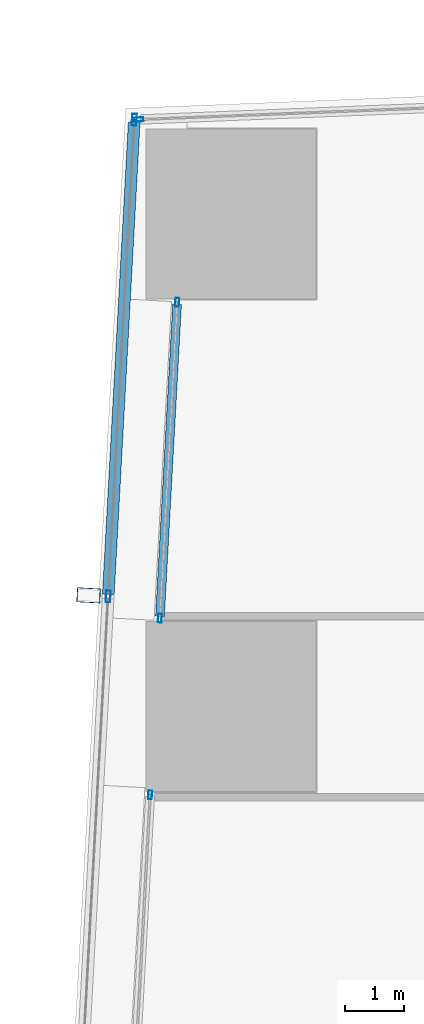
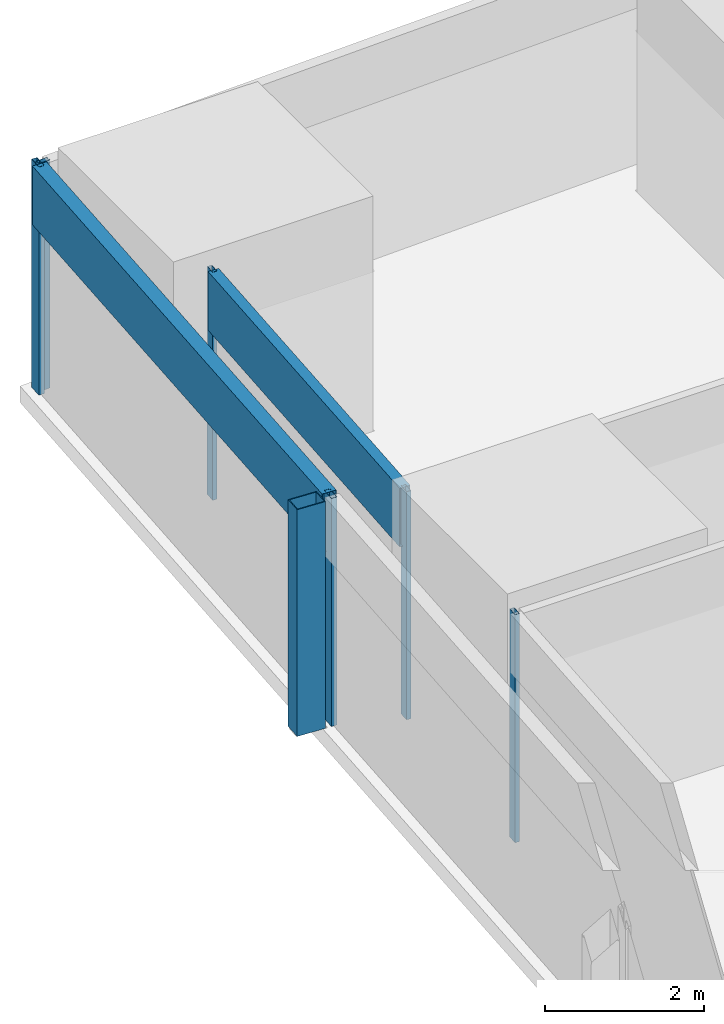
# One storey, part 14 of 40: 9 members, 4 elements without a shape of their own.
"""IFC4 building model written with IfcOpenShell, lengths in metres."""

from ifc_helpers import new_model, si_unit, direction, frame, origin, origin_2d, place, context, subcontext, project, spatial, hollow_rectangle, extrude, material, material_profile, profile_set, type_object, element, aggregate, save


model = new_model("IFC4")

# Units and contexts
model_context = context("Model", 3, precision=1e-05, world=origin(), true_north=direction((0.0, 1.0)))
body_context = subcontext(model_context, "Body", "Model", "MODEL_VIEW")
ifc_project = project(units=[si_unit("LENGTHUNIT", "METRE"), si_unit("AREAUNIT", "SQUARE_METRE"), si_unit("VOLUMEUNIT", "CUBIC_METRE"), si_unit("PLANEANGLEUNIT", "RADIAN"), si_unit("MASSUNIT", "GRAM", prefix="KILO")], contexts=[model_context])

# Site, building, storey
site_placement = place(None, origin())
site = spatial("IfcSite", under=ifc_project, at=site_placement, CompositionType="ELEMENT")
building_placement = place(site_placement, origin())
building = spatial("IfcBuilding", under=site, at=building_placement, Name="Rekha Terrace Tower", CompositionType="ELEMENT")
storey_placement = place(building_placement, frame((0.0, 0.0, 95.300048828125)))
storey = spatial("IfcBuildingStorey", under=building, at=storey_placement, Name="L23", CompositionType="ELEMENT", Elevation=95.300048828125)

# Curtain wall, member
ifc_material_1 = material(Name="Aluminium framing", Category="aluminium")
curtain_wall_type_1 = type_object("IfcCurtainWallType", Name="CW2 double skin outer glazing", PredefinedType="USERDEFINED", material=ifc_material_1)
curtain_wall_1_placement = place(storey_placement, origin())
curtain_wall_1 = element("IfcCurtainWall", 1, at=curtain_wall_1_placement, inside=storey, type_object=curtain_wall_type_1, Name="CW2 double skin outer glazing", ObjectType="DOUBLE SKIN OUTER GLAZING", PredefinedType="USERDEFINED")
ifc_material_2 = material(Name="Steel S355 with fluorocarbon finish", Category="steel")
ifc_material_profile_1 = material_profile(ifc_material_2, hollow_rectangle(XDim=0.25, YDim=0.39990234375, WallThickness=0.012451171875, at=origin_2d()), Name="RHS400x250x12.5")
ifc_profile_set_1 = profile_set([ifc_material_profile_1], Name="Steel S355 with fluorocarbon finish")
member_type_1 = type_object("IfcMemberType", Name="BL1 facade blade RHS 400 x 250", PredefinedType="USERDEFINED", material=ifc_profile_set_1)
member_1_placement = place(storey_placement, frame((5.969482421875, 52.29638671875, 0.02001953125), z_axis=(0.0, 0.0, 1.0), x_axis=(-0.054742798353, -0.998500488747, 0.0)))
member_1 = element("IfcMember", 2, at=member_1_placement, type_object=member_type_1, Name="Facade blade", ObjectType="FACADE BLADE", PredefinedType="USERDEFINED", context=body_context, shape_type="SweptSolid", body=[
    extrude(hollow_rectangle(XDim=0.25, YDim=0.39990234375, WallThickness=0.012451171875, at=origin_2d()), origin(), (0.0, 0.0, 1.0), 3.47998046875),
])

# Curtain wall, members
curtain_wall_type_2 = type_object("IfcCurtainWallType", Name="CW1 double skin inner glazing", PredefinedType="USERDEFINED", material=ifc_material_1)
curtain_wall_2_placement = place(storey_placement, origin())
curtain_wall_2 = element("IfcCurtainWall", 3, at=curtain_wall_2_placement, inside=storey, type_object=curtain_wall_type_2, Name="CW1 double skin inner glazing", ObjectType="DOUBLE SKIN INNER GLAZING", PredefinedType="USERDEFINED")
ifc_material_3 = material(Name="Aluminium mullion section", Category="aluminium")
ifc_material_profile_2 = material_profile(ifc_material_3, hollow_rectangle(XDim=0.06494140625, YDim=0.14990234375, WallThickness=0.00390625, at=origin_2d()), Name="AL RHS 65x150")
ifc_profile_set_2 = profile_set([ifc_material_profile_2], Name="Aluminium mullion section")
member_type_2 = type_object("IfcMemberType", Name="CW1 mullion RHS 65 x 150", PredefinedType="MULLION", material=ifc_profile_set_2)
member_2_placement = place(storey_placement, frame((7.480224609375, 57.29248046875, 0.0), z_axis=(0.0, 0.0, 1.0), x_axis=(0.998500513178, -0.054742352742, 0.0)))
member_2 = element("IfcMember", 4, at=member_2_placement, type_object=member_type_2, Name="CW1 mullion 1", PredefinedType="MULLION", context=body_context, shape_type="SweptSolid", body=[
    extrude(hollow_rectangle(XDim=0.06494140625, YDim=0.14990234375, WallThickness=0.00390625, at=origin_2d()), origin(), (0.0, 0.0, 1.0), 3.5),
])
member_3_placement = place(storey_placement, frame((7.18505859375, 51.90771484375, 0.0), z_axis=(0.0, 0.0, 1.0), x_axis=(0.998500513178, -0.054742352742, 0.0)))
member_3 = element("IfcMember", 5, at=member_3_placement, type_object=member_type_2, Name="CW1 mullion 2", PredefinedType="MULLION", context=body_context, shape_type="SweptSolid", body=[
    extrude(hollow_rectangle(XDim=0.06494140625, YDim=0.14990234375, WallThickness=0.00390625, at=origin_2d()), origin(), (0.0, 0.0, 1.0), 3.5),
])

# Curtain wall, member
curtain_wall_3_placement = place(storey_placement, origin())
curtain_wall_3 = element("IfcCurtainWall", 6, at=curtain_wall_3_placement, inside=storey, type_object=curtain_wall_type_2, Name="CW1 double skin inner glazing", ObjectType="DOUBLE SKIN INNER GLAZING", PredefinedType="USERDEFINED")
member_4_placement = place(storey_placement, frame((7.019775390625, 48.8935546875, 0.0), z_axis=(0.0, 0.0, 1.0), x_axis=(0.998500513182, -0.054742352672, 0.0)))
member_4 = element("IfcMember", 7, at=member_4_placement, type_object=member_type_2, Name="CW1 mullion 1", PredefinedType="MULLION", context=body_context, shape_type="SweptSolid", body=[
    extrude(hollow_rectangle(XDim=0.06494140625, YDim=0.14990234375, WallThickness=0.00390625, at=origin_2d()), origin(), (0.0, 0.0, 1.0), 3.5),
])
aggregate(curtain_wall_3, [member_4])

# Member
ifc_material_4 = material(Name="Insulated aluminium spandrel box", Category="aluminium")
ifc_material_profile_3 = material_profile(ifc_material_4, hollow_rectangle(XDim=0.14990234375, YDim=0.89990234375, WallThickness=0.0029296875, at=origin_2d()), Name="AL SPANDREL BOX 150x900")
ifc_profile_set_3 = profile_set([ifc_material_profile_3], Name="Insulated aluminium spandrel box")
member_type_3 = type_object("IfcMemberType", Name="CW1 spandrel transom 150 x 900", PredefinedType="USERDEFINED", material=ifc_profile_set_3)
member_5_placement = place(storey_placement, frame((7.478515625, 57.260009765625, 3.050048828125), z_axis=(-0.054759384911, -0.998499579251, 0.0), x_axis=(0.998499579251, -0.054759384911, 0.0)))
member_5 = element("IfcMember", 8, at=member_5_placement, type_object=member_type_3, Name="CW1 spandrel transom 1", ObjectType="TRANSOM", PredefinedType="USERDEFINED", context=body_context, shape_type="SweptSolid", body=[
    extrude(hollow_rectangle(XDim=0.14990234375, YDim=0.89990234375, WallThickness=0.0029296875, at=origin_2d()), origin(), (0.0, 0.0, 1.0), 5.327880859375),
])

aggregate(curtain_wall_2, [member_2, member_3, member_5])

ifc_material_profile_4 = material_profile(ifc_material_3, hollow_rectangle(XDim=0.080078125, YDim=0.199951171875, WallThickness=0.00390625, at=origin_2d()), Name="AL RHS 80x200")
ifc_profile_set_4 = profile_set([ifc_material_profile_4], Name="Aluminium mullion section")
member_type_4 = type_object("IfcMemberType", Name="CW2 mullion RHS 80 x 200", PredefinedType="MULLION", material=ifc_profile_set_4)
member_6_placement = place(storey_placement, frame((6.74951171875, 60.406005859375, 0.0), z_axis=(0.0, 0.0, 1.0), x_axis=(0.99850051318, -0.054742352707, 0.0)))
member_6 = element("IfcMember", 9, at=member_6_placement, type_object=member_type_4, Name="CW2 mullion 1", PredefinedType="MULLION", context=body_context, shape_type="SweptSolid", body=[
    extrude(hollow_rectangle(XDim=0.080078125, YDim=0.199951171875, WallThickness=0.00390625, at=origin_2d()), origin(), (0.0, 0.0, 1.0), 3.5),
])

member_7_placement = place(storey_placement, frame((6.303955078125, 52.278076171875, 0.0), z_axis=(0.0, 0.0, 1.0), x_axis=(0.99850051318, -0.054742352707, 0.0)))
member_7 = element("IfcMember", 10, at=member_7_placement, type_object=member_type_4, Name="CW2 mullion 2", PredefinedType="MULLION", context=body_context, shape_type="SweptSolid", body=[
    extrude(hollow_rectangle(XDim=0.080078125, YDim=0.199951171875, WallThickness=0.00390625, at=origin_2d()), origin(), (0.0, 0.0, 1.0), 3.5),
])

ifc_material_profile_5 = material_profile(ifc_material_4, hollow_rectangle(XDim=0.199951171875, YDim=0.89990234375, WallThickness=0.0029296875, at=origin_2d()), Name="AL SPANDREL BOX 200x900")
ifc_profile_set_5 = profile_set([ifc_material_profile_5], Name="Insulated aluminium spandrel box")
member_type_5 = type_object("IfcMemberType", Name="CW2 spandrel transom 200 x 900", PredefinedType="USERDEFINED", material=ifc_profile_set_5)
member_8_placement = place(storey_placement, frame((6.747314453125, 60.365966796875, 3.050048828125), z_axis=(-0.054735200093, -0.998500905293, 0.0), x_axis=(0.998500905293, -0.054735200093, 0.0)))
member_8 = element("IfcMember", 11, at=member_8_placement, type_object=member_type_5, Name="CW2 spandrel transom 1", ObjectType="TRANSOM", PredefinedType="USERDEFINED", context=body_context, shape_type="SweptSolid", body=[
    extrude(hollow_rectangle(XDim=0.199951171875, YDim=0.89990234375, WallThickness=0.0029296875, at=origin_2d()), origin(), (0.0, 0.0, 1.0), 8.059814453125),
])

aggregate(curtain_wall_1, [member_6, member_7, member_8, member_1])

# Curtain wall, member
curtain_wall_type_3 = type_object("IfcCurtainWallType", Name="CW3 north unitised glazing", PredefinedType="USERDEFINED", material=ifc_material_1)
curtain_wall_4_placement = place(storey_placement, origin())
curtain_wall_4 = element("IfcCurtainWall", 12, at=curtain_wall_4_placement, inside=storey, type_object=curtain_wall_type_3, Name="CW3 unitised curtain wall", ObjectType="UNITISED CURTAIN WALL", PredefinedType="USERDEFINED")
ifc_material_profile_6 = material_profile(ifc_material_3, hollow_rectangle(XDim=0.070068359375, YDim=0.159912109375, WallThickness=0.00390625, at=origin_2d()), Name="AL RHS 70x160")
ifc_profile_set_6 = profile_set([ifc_material_profile_6], Name="Aluminium mullion section")
member_type_6 = type_object("IfcMemberType", Name="CW3 mullion RHS 70 x 160", PredefinedType="MULLION", material=ifc_profile_set_6)
member_9_placement = place(storey_placement, frame((6.82470703125, 60.408935546875, 0.0), z_axis=(0.0, 0.0, 1.0), x_axis=(0.040031987119, -0.999198398721, 0.0)))
member_9 = element("IfcMember", 13, at=member_9_placement, type_object=member_type_6, Name="CW3 mullion 5", PredefinedType="MULLION", context=body_context, shape_type="SweptSolid", body=[
    extrude(hollow_rectangle(XDim=0.070068359375, YDim=0.159912109375, WallThickness=0.00390625, at=origin_2d()), origin(), (0.0, 0.0, 1.0), 3.5),
])
aggregate(curtain_wall_4, [member_9])

save(model, "model.ifc")
